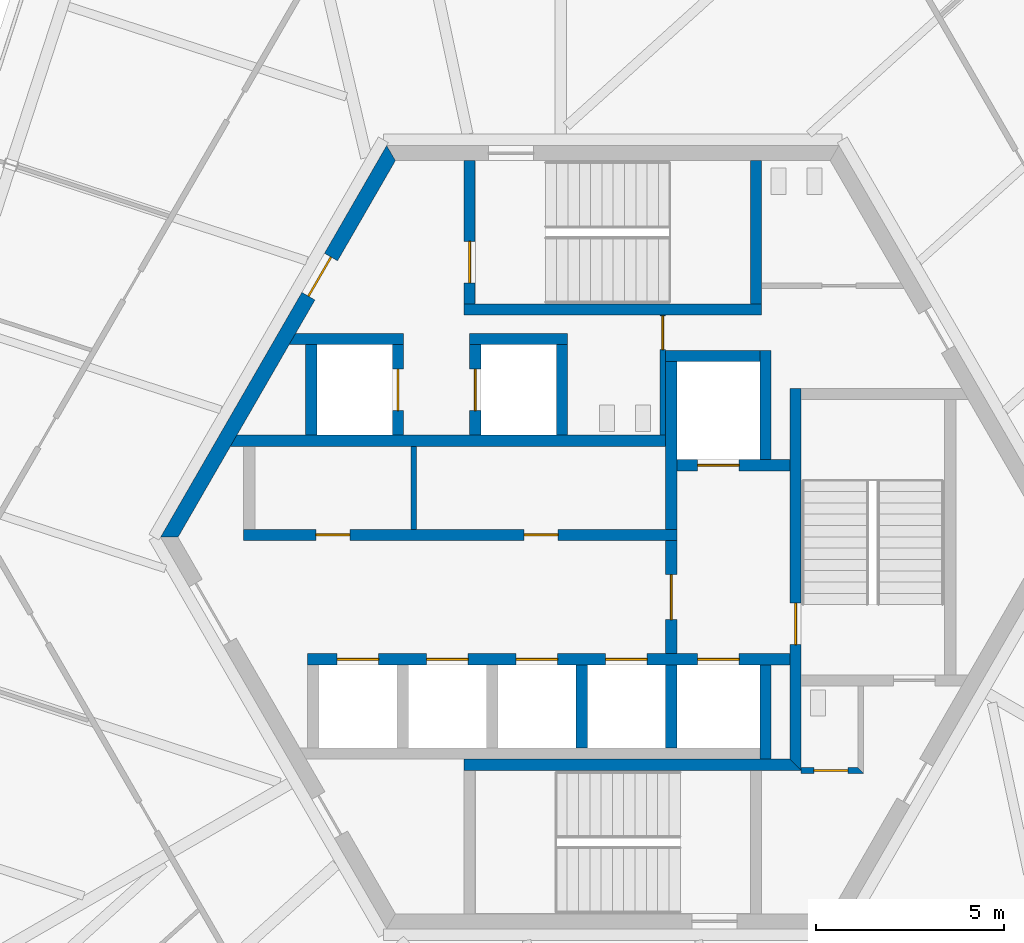
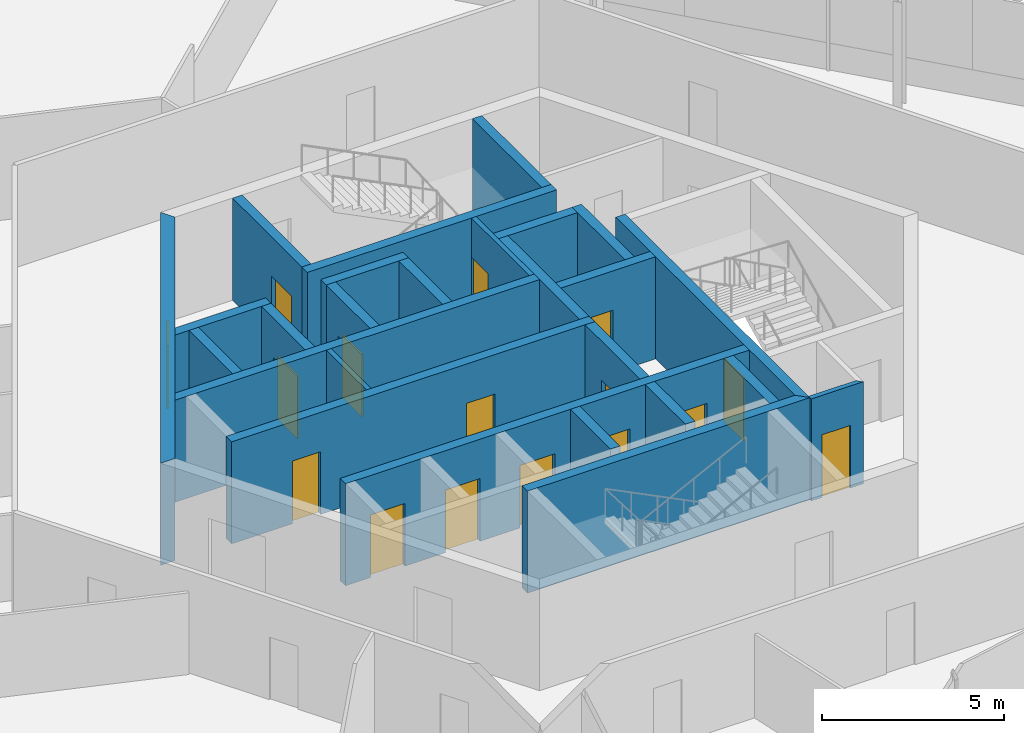
# One storey, part 11 of 17: 26 walls, 16 doors, 16 openings.
"""IFC4 building model written with IfcOpenShell, lengths in metres."""

from ifc_helpers import new_model, si_unit, direction, frame, frame_2d, origin, place, context, subcontext, project, spatial, polyline, rectangle, outline, extrude, source, transform, mapped, material, layer, layer_set, type_object, element, fill, save


model = new_model("IFC4")

# Units and contexts
model_context = context("Model", 3, precision=1e-05, world=origin(), true_north=direction((0.0, 1.0)))
body_context = subcontext(model_context, "Body", "Model", "MODEL_VIEW")
ifc_project = project(units=[si_unit("LENGTHUNIT", "METRE"), si_unit("AREAUNIT", "SQUARE_METRE"), si_unit("VOLUMEUNIT", "CUBIC_METRE"), si_unit("PLANEANGLEUNIT", "RADIAN"), si_unit("MASSUNIT", "GRAM", prefix="KILO")], contexts=[model_context])

# Site, building, storey
site_placement = place(None, origin())
site = spatial("IfcSite", under=ifc_project, at=site_placement, CompositionType="ELEMENT")
building_placement = place(site_placement, origin())
building = spatial("IfcBuilding", under=site, at=building_placement, Name="Triune Harvest Tower", CompositionType="ELEMENT")
storey_placement = place(building_placement, frame((0.0, 0.0, 281.10009765625)))
storey = spatial("IfcBuildingStorey", under=building, at=storey_placement, Name="L74", CompositionType="ELEMENT", Elevation=281.10009765625)

# Wall
ifc_material_1 = material(Name="Concrete masonry unit", Category="masonry")
ifc_layer_1 = layer(ifc_material_1, 0.14990234375)
ifc_layer_set_1 = layer_set([ifc_layer_1], Name="Concrete masonry unit")
wall_type_1 = type_object("IfcWallType", Name="Block partition 150", PredefinedType="PARTITIONING", material=ifc_layer_set_1)
wall_1_placement = place(storey_placement, frame((-5.280029296875, 0.2099609375, 0.0), z_axis=(0.0, 0.0, 1.0), x_axis=(0.0, 1.0, 0.0)))
element("IfcWall", 1, at=wall_1_placement, inside=storey, type_object=wall_type_1, Name="Row n part 1 wall", PredefinedType="PARTITIONING", context=body_context, shape_type="SweptSolid", body=[
    extrude(rectangle(XDim=2.199951171875, YDim=0.14990234375, at=frame_2d((1.10009765625, 0.0))), origin(), (0.0, 0.0, 1.0), 3.419921875),
])

# Wall, opening, door
ifc_material_2 = material(Name="Concrete masonry unit", Category="masonry")
ifc_layer_2 = layer(ifc_material_2, 0.14990234375)
ifc_layer_set_2 = layer_set([ifc_layer_2], Name="Concrete masonry unit")
wall_type_2 = type_object("IfcWallType", Name="Block partition 150 unrated", PredefinedType="PARTITIONING", material=ifc_layer_set_2)
wall_2_placement = place(storey_placement, frame((1.324951171875, 2.7099609375, 0.0), z_axis=(0.0, 0.0, 1.0), x_axis=(0.0, 1.0, 0.0)))
wall_2 = element("IfcWall", 2, at=wall_2_placement, inside=storey, type_object=wall_type_2, Name="Wc men east wall", PredefinedType="PARTITIONING", context=body_context, shape_type="SweptSolid", body=[
    extrude(rectangle(XDim=3.179931640625, YDim=0.14990234375, at=frame_2d((1.58984375, 0.0))), origin(), (0.0, 0.0, 1.0), 3.419921875),
])
opening_1_placement = place(wall_2_placement, frame((2.264892578125, 0.0, 0.0)))
opening_1 = element("IfcOpeningElement", 3, at=opening_1_placement, cuts=wall_2, Name="Opening CD-WM", PredefinedType="OPENING", context=body_context, shape_type="SweptSolid", body=[
    extrude(rectangle(XDim=0.89990234375, YDim=2.10009765625, at=frame_2d((0.449951171875, 1.050048828125))), frame((0.0, 0.0849609375, 0.0), z_axis=(0.0, -1.0, 0.0), x_axis=(1.0, 0.0, 0.0)), (0.0, 0.0, 1.0), 0.169921875),
])
ifc_material_3 = material(Name="Timber C24", Category="wood")
door_type_1 = type_object("IfcDoorType", Name="WC door 900", OperationType="SINGLE_SWING_LEFT", PredefinedType="DOOR", material=ifc_material_3)
door_1_placement = place(opening_1_placement, origin())
door_1 = element("IfcDoor", 4, at=door_1_placement, inside=storey, type_object=door_type_1, Name="Door CD-WM", OperationType="SINGLE_SWING_LEFT", OverallHeight=2.10009765625, OverallWidth=0.89990234375, PredefinedType="DOOR", context=body_context, shape_type="SweptSolid", body=[
    extrude(rectangle(XDim=0.89990234375, YDim=2.10009765625, at=frame_2d((0.449951171875, 1.050048828125))), frame((0.0, 0.02490234375, 0.0), z_axis=(0.0, -1.0, 0.0), x_axis=(1.0, 0.0, 0.0)), (0.0, 0.0, 1.0), 0.050048828125),
])
fill(opening_1, door_1)

wall_3_placement = place(storey_placement, frame((5.0, -6.18994140625, 0.0), z_axis=(0.0, 0.0, 1.0), x_axis=(1.0, 0.0, 0.0)))
wall_3 = element("IfcWall", 5, at=wall_3_placement, inside=storey, type_object=wall_type_2, Name="Wc acc south wall", PredefinedType="PARTITIONING", context=body_context, shape_type="SweptSolid", body=[
    extrude(outline(polyline([(0.0, -0.074951171875), (1.64990234375, -0.074951171875), (1.5, 0.074951171875), (0.0, 0.074951171875), (0.0, -0.074951171875)])), origin(), (0.0, 0.0, 1.0), 3.419921875),
])
opening_2_placement = place(wall_3_placement, frame((0.33740234375, 0.0, 0.0)))
opening_2 = element("IfcOpeningElement", 6, at=opening_2_placement, cuts=wall_3, Name="Opening CD-WA", PredefinedType="OPENING", context=body_context, shape_type="SweptSolid", body=[
    extrude(rectangle(XDim=0.89990234375, YDim=2.10009765625, at=frame_2d((0.449951171875, 1.050048828125))), frame((0.0, 0.0849609375, 0.0), z_axis=(0.0, -1.0, 0.0), x_axis=(1.0, 0.0, 0.0)), (0.0, 0.0, 1.0), 0.169921875),
])
door_2_placement = place(opening_2_placement, origin())
door_2 = element("IfcDoor", 7, at=door_2_placement, inside=storey, type_object=door_type_1, Name="Door CD-WA", OperationType="SINGLE_SWING_LEFT", OverallHeight=2.10009765625, OverallWidth=0.89990234375, PredefinedType="DOOR", context=body_context, shape_type="SweptSolid", body=[
    extrude(rectangle(XDim=0.89990234375, YDim=2.10009765625, at=frame_2d((0.449951171875, 1.050048828125))), frame((0.0, 0.02490234375, 0.0), z_axis=(0.0, -1.0, 0.0), x_axis=(1.0, 0.0, 0.0)), (0.0, 0.0, 1.0), 0.050048828125),
])
fill(opening_2, door_2)

# Wall, openings, doors
ifc_material_4 = material(Name="Concrete 70 MPa", Category="concrete")
ifc_layer_3 = layer(ifc_material_4, 0.300048828125)
ifc_layer_set_3 = layer_set([ifc_layer_3], Name="Concrete 70 MPa")
wall_type_3 = type_object("IfcWallType", Name="Core wall 300", PredefinedType="SHEAR", material=ifc_layer_set_3)
wall_4_placement = place(storey_placement, frame((-9.800048828125, 0.06005859375, 0.0), z_axis=(0.0, 0.0, 1.0), x_axis=(1.0, 0.0, 0.0)))
wall_4 = element("IfcWall", 8, at=wall_4_placement, inside=storey, type_object=wall_type_3, Name="North front wall", PredefinedType="SHEAR", context=body_context, shape_type="SweptSolid", body=[
    extrude(rectangle(XDim=11.5, YDim=0.300048828125, at=frame_2d((5.75, 0.0))), origin(), (0.0, 0.0, 1.0), 3.419921875),
])
opening_3_placement = place(wall_4_placement, frame((1.922607421875, 0.0, 0.0)))
opening_3 = element("IfcOpeningElement", 9, at=opening_3_placement, cuts=wall_4, Name="Opening CD-RN1", PredefinedType="OPENING", context=body_context, shape_type="SweptSolid", body=[
    extrude(rectangle(XDim=0.89990234375, YDim=2.10009765625, at=frame_2d((0.449951171875, 1.050048828125))), frame((0.0, 0.16015625, 0.0), z_axis=(0.0, -1.0, 0.0), x_axis=(1.0, 0.0, 0.0)), (0.0, 0.0, 1.0), 0.320068359375),
])
opening_4_placement = place(wall_4_placement, frame((7.447509765625, 0.0, 0.0)))
opening_4 = element("IfcOpeningElement", 10, at=opening_4_placement, cuts=wall_4, Name="Opening CD-RN2", PredefinedType="OPENING", context=body_context, shape_type="SweptSolid", body=[
    extrude(rectangle(XDim=0.89990234375, YDim=2.10009765625, at=frame_2d((0.449951171875, 1.050048828125))), frame((0.0, 0.16015625, 0.0), z_axis=(0.0, -1.0, 0.0), x_axis=(1.0, 0.0, 0.0)), (0.0, 0.0, 1.0), 0.320068359375),
])
ifc_material_5 = material(Name="Steel S235", Category="steel")
door_type_2 = type_object("IfcDoorType", Name="Riser door 900 FD120", OperationType="SINGLE_SWING_LEFT", PredefinedType="DOOR", material=ifc_material_5)
door_3_placement = place(opening_3_placement, frame((0.89990234375, 0.0, 0.0), z_axis=(0.0, 0.0, 1.0), x_axis=(-1.0, 0.0, 0.0)))
door_3 = element("IfcDoor", 11, at=door_3_placement, inside=storey, type_object=door_type_2, Name="Door CD-RN1", OperationType="SINGLE_SWING_RIGHT", OverallHeight=2.10009765625, OverallWidth=0.89990234375, PredefinedType="DOOR", context=body_context, shape_type="SweptSolid", body=[
    extrude(rectangle(XDim=0.89990234375, YDim=2.10009765625, at=frame_2d((0.449951171875, 1.050048828125))), frame((0.0, 0.02490234375, 0.0), z_axis=(0.0, -1.0, 0.0), x_axis=(1.0, 0.0, 0.0)), (0.0, 0.0, 1.0), 0.050048828125),
])
fill(opening_3, door_3)
door_4_placement = place(opening_4_placement, frame((0.89990234375, 0.0, 0.0), z_axis=(0.0, 0.0, 1.0), x_axis=(-1.0, 0.0, 0.0)))
door_4 = element("IfcDoor", 12, at=door_4_placement, inside=storey, type_object=door_type_2, Name="Door CD-RN2", OperationType="SINGLE_SWING_RIGHT", OverallHeight=2.10009765625, OverallWidth=0.89990234375, PredefinedType="DOOR", context=body_context, shape_type="SweptSolid", body=[
    extrude(rectangle(XDim=0.89990234375, YDim=2.10009765625, at=frame_2d((0.449951171875, 1.050048828125))), frame((0.0, 0.02490234375, 0.0), z_axis=(0.0, -1.0, 0.0), x_axis=(1.0, 0.0, 0.0)), (0.0, 0.0, 1.0), 0.050048828125),
])
fill(opening_4, door_4)

# Walls
wall_5_placement = place(storey_placement, frame((-9.800048828125, 2.56005859375, 0.0), z_axis=(0.0, 0.0, 1.0), x_axis=(1.0, 0.0, 0.0)))
element("IfcWall", 13, at=wall_5_placement, inside=storey, type_object=wall_type_3, Name="North back wall", PredefinedType="SHEAR", context=body_context, shape_type="SweptSolid", body=[
    extrude(outline(polyline([(11.199951171875, -0.14990234375), (-0.34912109375, -0.14990234375), (-0.17578125, 0.14990234375), (11.199951171875, 0.14990234375), (11.199951171875, -0.14990234375)])), origin(), (0.0, 0.0, 1.0), 3.419921875),
])
wall_6_placement = place(storey_placement, frame((1.550048828125, 0.2099609375, 0.0), z_axis=(0.0, 0.0, 1.0), x_axis=(0.0, 1.0, 0.0)))
element("IfcWall", 14, at=wall_6_placement, inside=storey, type_object=wall_type_3, Name="Ff1 west wall", PredefinedType="SHEAR", context=body_context, shape_type="SweptSolid", body=[
    extrude(rectangle(XDim=4.449951171875, YDim=0.300048828125, at=frame_2d((2.22509765625, 0.0))), origin(), (0.0, 0.0, 1.0), 3.419921875),
])
wall_7_placement = place(storey_placement, frame((4.050048828125, 2.06005859375, 0.0), z_axis=(0.0, 0.0, 1.0), x_axis=(0.0, 1.0, 0.0)))
element("IfcWall", 15, at=wall_7_placement, inside=storey, type_object=wall_type_3, Name="Ff1 east wall", PredefinedType="SHEAR", context=body_context, shape_type="SweptSolid", body=[
    extrude(rectangle(XDim=2.89990234375, YDim=0.300048828125, at=frame_2d((1.449951171875, 0.0))), origin(), (0.0, 0.0, 1.0), 3.419921875),
])

# Wall, openings, doors
wall_8_placement = place(storey_placement, frame((-8.10009765625, -3.239990234375, 0.0), z_axis=(0.0, 0.0, 1.0), x_axis=(1.0, 0.0, 0.0)))
wall_8 = element("IfcWall", 16, at=wall_8_placement, inside=storey, type_object=wall_type_3, Name="South front wall", PredefinedType="SHEAR", context=body_context, shape_type="SweptSolid", body=[
    extrude(rectangle(XDim=12.800048828125, YDim=0.300048828125, at=frame_2d((6.39990234375, 0.0))), origin(), (0.0, 0.0, 1.0), 3.419921875),
])
opening_5_placement = place(wall_8_placement, frame((0.78759765625, 0.0, 0.0)))
opening_5 = element("IfcOpeningElement", 17, at=opening_5_placement, cuts=wall_8, Name="Opening LD-HR1-74", PredefinedType="OPENING", context=body_context, shape_type="SweptSolid", body=[
    extrude(rectangle(XDim=1.10009765625, YDim=2.10009765625, at=frame_2d((0.550048828125, 1.050048828125))), frame((0.0, 0.16015625, 0.0), z_axis=(0.0, -1.0, 0.0), x_axis=(1.0, 0.0, 0.0)), (0.0, 0.0, 1.0), 0.320068359375),
])
opening_6_placement = place(wall_8_placement, frame((3.16259765625, 0.0, 0.0)))
opening_6 = element("IfcOpeningElement", 18, at=opening_6_placement, cuts=wall_8, Name="Opening LD-HR2-74", PredefinedType="OPENING", context=body_context, shape_type="SweptSolid", body=[
    extrude(rectangle(XDim=1.10009765625, YDim=2.10009765625, at=frame_2d((0.550048828125, 1.050048828125))), frame((0.0, 0.16015625, 0.0), z_axis=(0.0, -1.0, 0.0), x_axis=(1.0, 0.0, 0.0)), (0.0, 0.0, 1.0), 0.320068359375),
])
opening_7_placement = place(wall_8_placement, frame((5.53759765625, 0.0, 0.0)))
opening_7 = element("IfcOpeningElement", 19, at=opening_7_placement, cuts=wall_8, Name="Opening LD-HR3-74", PredefinedType="OPENING", context=body_context, shape_type="SweptSolid", body=[
    extrude(rectangle(XDim=1.10009765625, YDim=2.10009765625, at=frame_2d((0.550048828125, 1.050048828125))), frame((0.0, 0.16015625, 0.0), z_axis=(0.0, -1.0, 0.0), x_axis=(1.0, 0.0, 0.0)), (0.0, 0.0, 1.0), 0.320068359375),
])
opening_8_placement = place(wall_8_placement, frame((7.91259765625, 0.0, 0.0)))
opening_8 = element("IfcOpeningElement", 20, at=opening_8_placement, cuts=wall_8, Name="Opening LD-HR4-74", PredefinedType="OPENING", context=body_context, shape_type="SweptSolid", body=[
    extrude(rectangle(XDim=1.10009765625, YDim=2.10009765625, at=frame_2d((0.550048828125, 1.050048828125))), frame((0.0, 0.16015625, 0.0), z_axis=(0.0, -1.0, 0.0), x_axis=(1.0, 0.0, 0.0)), (0.0, 0.0, 1.0), 0.320068359375),
])
opening_9_placement = place(wall_8_placement, frame((10.35009765625, 0.0, 0.0)))
opening_9 = element("IfcOpeningElement", 21, at=opening_9_placement, cuts=wall_8, Name="Opening LD-FF2-74", PredefinedType="OPENING", context=body_context, shape_type="SweptSolid", body=[
    extrude(rectangle(XDim=1.10009765625, YDim=2.10009765625, at=frame_2d((0.550048828125, 1.050048828125))), frame((0.0, 0.16015625, 0.0), z_axis=(0.0, -1.0, 0.0), x_axis=(1.0, 0.0, 0.0)), (0.0, 0.0, 1.0), 0.320068359375),
])
ifc_material_6 = material(Name="Stainless steel AISI 304", Category="steel")
door_type_3 = type_object("IfcDoorType", Name="Landing door 1100 x 2100", OperationType="DOUBLE_DOOR_SLIDING", PredefinedType="DOOR", material=ifc_material_6)
door_5_placement = place(opening_5_placement, origin())
door_5 = element("IfcDoor", 22, at=door_5_placement, inside=storey, type_object=door_type_3, Name="Door LD-HR1-74", OperationType="DOUBLE_DOOR_SLIDING", OverallHeight=2.10009765625, OverallWidth=1.10009765625, PredefinedType="DOOR", context=body_context, shape_type="SweptSolid", body=[
    extrude(rectangle(XDim=1.10009765625, YDim=2.10009765625, at=frame_2d((0.550048828125, 1.050048828125))), frame((0.0, 0.02490234375, 0.0), z_axis=(0.0, -1.0, 0.0), x_axis=(1.0, 0.0, 0.0)), (0.0, 0.0, 1.0), 0.050048828125),
])
fill(opening_5, door_5)
door_6_placement = place(opening_6_placement, origin())
door_6 = element("IfcDoor", 23, at=door_6_placement, inside=storey, type_object=door_type_3, Name="Door LD-HR2-74", OperationType="DOUBLE_DOOR_SLIDING", OverallHeight=2.10009765625, OverallWidth=1.10009765625, PredefinedType="DOOR", context=body_context, shape_type="SweptSolid", body=[
    extrude(rectangle(XDim=1.10009765625, YDim=2.10009765625, at=frame_2d((0.550048828125, 1.050048828125))), frame((0.0, 0.02490234375, 0.0), z_axis=(0.0, -1.0, 0.0), x_axis=(1.0, 0.0, 0.0)), (0.0, 0.0, 1.0), 0.050048828125),
])
fill(opening_6, door_6)
door_7_placement = place(opening_7_placement, origin())
door_7 = element("IfcDoor", 24, at=door_7_placement, inside=storey, type_object=door_type_3, Name="Door LD-HR3-74", OperationType="DOUBLE_DOOR_SLIDING", OverallHeight=2.10009765625, OverallWidth=1.10009765625, PredefinedType="DOOR", context=body_context, shape_type="SweptSolid", body=[
    extrude(rectangle(XDim=1.10009765625, YDim=2.10009765625, at=frame_2d((0.550048828125, 1.050048828125))), frame((0.0, 0.02490234375, 0.0), z_axis=(0.0, -1.0, 0.0), x_axis=(1.0, 0.0, 0.0)), (0.0, 0.0, 1.0), 0.050048828125),
])
fill(opening_7, door_7)
door_8_placement = place(opening_8_placement, origin())
door_8 = element("IfcDoor", 25, at=door_8_placement, inside=storey, type_object=door_type_3, Name="Door LD-HR4-74", OperationType="DOUBLE_DOOR_SLIDING", OverallHeight=2.10009765625, OverallWidth=1.10009765625, PredefinedType="DOOR", context=body_context, shape_type="SweptSolid", body=[
    extrude(rectangle(XDim=1.10009765625, YDim=2.10009765625, at=frame_2d((0.550048828125, 1.050048828125))), frame((0.0, 0.02490234375, 0.0), z_axis=(0.0, -1.0, 0.0), x_axis=(1.0, 0.0, 0.0)), (0.0, 0.0, 1.0), 0.050048828125),
])
fill(opening_8, door_8)
door_9_placement = place(opening_9_placement, origin())
door_9 = element("IfcDoor", 26, at=door_9_placement, inside=storey, type_object=door_type_3, Name="Door LD-FF2-74", OperationType="DOUBLE_DOOR_SLIDING", OverallHeight=2.10009765625, OverallWidth=1.10009765625, PredefinedType="DOOR", context=body_context, shape_type="SweptSolid", body=[
    extrude(rectangle(XDim=1.10009765625, YDim=2.10009765625, at=frame_2d((0.550048828125, 1.050048828125))), frame((0.0, 0.02490234375, 0.0), z_axis=(0.0, -1.0, 0.0), x_axis=(1.0, 0.0, 0.0)), (0.0, 0.0, 1.0), 0.050048828125),
])
fill(opening_9, door_9)

# Wall, opening, door
wall_9_placement = place(storey_placement, frame((4.85009765625, -6.0400390625, 0.0), z_axis=(0.0, 0.0, 1.0), x_axis=(0.0, 1.0, 0.0)))
wall_9 = element("IfcWall", 27, at=wall_9_placement, inside=storey, type_object=wall_type_3, Name="Stair e west wall", PredefinedType="SHEAR", context=body_context, shape_type="SweptSolid", body=[
    extrude(outline(polyline([(-0.14990234375, -0.14990234375), (9.989990234375, -0.14990234375), (9.989990234375, 0.14990234375), (0.14990234375, 0.14990234375), (-0.14990234375, -0.14990234375)])), origin(), (0.0, 0.0, 1.0), 3.419921875),
])
opening_10_placement = place(wall_9_placement, frame((3.18994140625, 0.0, 0.0)))
opening_10 = element("IfcOpeningElement", 28, at=opening_10_placement, cuts=wall_9, Name="Opening CD-S3L", PredefinedType="OPENING", context=body_context, shape_type="SweptSolid", body=[
    extrude(rectangle(XDim=1.10009765625, YDim=2.10009765625, at=frame_2d((0.550048828125, 1.050048828125))), frame((0.0, 0.16015625, 0.0), z_axis=(0.0, -1.0, 0.0), x_axis=(1.0, 0.0, 0.0)), (0.0, 0.0, 1.0), 0.320068359375),
])
ifc_material_7 = material(Name="Steel S235", Category="steel")
door_type_4 = type_object("IfcDoorType", Name="Stair door 1100 FD120", OperationType="SINGLE_SWING_LEFT", PredefinedType="DOOR", material=ifc_material_7)
door_10_placement = place(opening_10_placement, frame((1.10009765625, 0.0, 0.0), z_axis=(0.0, 0.0, 1.0), x_axis=(-1.0, 0.0, 0.0)))
door_10 = element("IfcDoor", 29, at=door_10_placement, inside=storey, type_object=door_type_4, Name="Door CD-S3L", OperationType="SINGLE_SWING_RIGHT", OverallHeight=2.10009765625, OverallWidth=1.10009765625, PredefinedType="DOOR", context=body_context, shape_type="SweptSolid", body=[
    extrude(rectangle(XDim=1.10009765625, YDim=2.10009765625, at=frame_2d((0.550048828125, 1.050048828125))), frame((0.0, 0.02490234375, 0.0), z_axis=(0.0, -1.0, 0.0), x_axis=(1.0, 0.0, 0.0)), (0.0, 0.0, 1.0), 0.050048828125),
])
fill(opening_10, door_10)

# Walls
wall_10_placement = place(storey_placement, frame((-3.949951171875, 6.0400390625, 0.0), z_axis=(0.0, 0.0, 1.0), x_axis=(1.0, 0.0, 0.0)))
element("IfcWall", 30, at=wall_10_placement, inside=storey, type_object=wall_type_3, Name="Stair n south wall", PredefinedType="SHEAR", context=body_context, shape_type="SweptSolid", body=[
    extrude(rectangle(XDim=7.89990234375, YDim=0.300048828125, at=frame_2d((3.949951171875, 0.0))), origin(), (0.0, 0.0, 1.0), 3.419921875),
])
wall_11_placement = place(storey_placement, frame((-3.949951171875, -6.0400390625, 0.0), z_axis=(0.0, 0.0, 1.0), x_axis=(1.0, 0.0, 0.0)))
element("IfcWall", 31, at=wall_11_placement, inside=storey, type_object=wall_type_3, Name="Stair s north wall", PredefinedType="SHEAR", context=body_context, shape_type="SweptSolid", body=[
    extrude(outline(polyline([(0.0, -0.14990234375), (8.949951171875, -0.14990234375), (8.64990234375, 0.14990234375), (0.0, 0.14990234375), (0.0, -0.14990234375)])), origin(), (0.0, 0.0, 1.0), 3.419921875),
])
wall_12_placement = place(storey_placement, frame((-8.14990234375, 5.260009765625, 0.0), z_axis=(0.0, 0.0, 1.0), x_axis=(1.0, 0.0, 0.0)))
element("IfcWall", 32, at=wall_12_placement, inside=storey, type_object=wall_type_3, Name="Sv1 north wall", PredefinedType="SHEAR", context=body_context, shape_type="SweptSolid", body=[
    extrude(outline(polyline([(2.60009765625, -0.14990234375), (-0.440185546875, -0.14990234375), (-0.26708984375, 0.14990234375), (2.60009765625, 0.14990234375), (2.60009765625, -0.14990234375)])), origin(), (0.0, 0.0, 1.0), 3.419921875),
])
wall_13_placement = place(storey_placement, frame((-3.800048828125, 5.260009765625, 0.0), z_axis=(0.0, 0.0, 1.0), x_axis=(1.0, 0.0, 0.0)))
element("IfcWall", 33, at=wall_13_placement, inside=storey, type_object=wall_type_3, Name="Sv2 north wall", PredefinedType="SHEAR", context=body_context, shape_type="SweptSolid", body=[
    extrude(rectangle(XDim=2.60009765625, YDim=0.300048828125, at=frame_2d((1.300048828125, 0.0))), origin(), (0.0, 0.0, 1.0), 3.419921875),
])

# Wall, opening, door
ifc_material_8 = material(Name="Concrete 70 MPa", Category="concrete")
ifc_layer_4 = layer(ifc_material_8, 0.39990234375)
ifc_layer_set_4 = layer_set([ifc_layer_4], Name="Concrete 70 MPa")
wall_type_4 = type_object("IfcWallType", Name="Core wall 400", PredefinedType="SHEAR", material=ifc_layer_set_4)
shared_shape_1 = source(origin(), body_context, "Body", "SweptSolid", [
    extrude(outline(polyline([(-0.115478515625, -0.199951171875), (11.884521484375, -0.199951171875), (11.653564453125, 0.199951171875), (0.115478515625, 0.199951171875), (-0.115478515625, -0.199951171875)])), origin(), (0.0, 0.0, 1.0), 3.419921875),
])
wall_14_placement = place(storey_placement, frame((-5.884521484375, 10.1923828125, 0.0), z_axis=(0.0, 0.0, 1.0), x_axis=(-0.499996592174, -0.866027371285, 0.0)))
wall_14 = element("IfcWall", 34, at=wall_14_placement, inside=storey, type_object=wall_type_4, Name="Hexagon 2 wall", PredefinedType="SHEAR", context=body_context, shape_type="MappedRepresentation", body=[
    mapped(shared_shape_1, transform((0.0, 0.0, 0.0), scale=1.0)),
])
opening_11_placement = place(wall_14_placement, frame((3.1845703125, 0.0, 0.0)))
opening_11 = element("IfcOpeningElement", 35, at=opening_11_placement, cuts=wall_14, Name="Opening CD-SVP", PredefinedType="OPENING", context=body_context, shape_type="SweptSolid", body=[
    extrude(rectangle(XDim=1.199951171875, YDim=2.10009765625, at=frame_2d((0.60009765625, 1.050048828125))), frame((0.0, 0.2099609375, 0.0), z_axis=(0.0, -1.0, 0.0), x_axis=(1.0, 0.0, 0.0)), (0.0, 0.0, 1.0), 0.419921875),
])
ifc_material_9 = material(Name="Steel S235", Category="steel")
door_type_5 = type_object("IfcDoorType", Name="Service door 1200 FD120", OperationType="SINGLE_SWING_LEFT", PredefinedType="DOOR", material=ifc_material_9)
door_11_placement = place(opening_11_placement, frame((1.199951171875, 0.0, 0.0), z_axis=(0.0, 0.0, 1.0), x_axis=(-1.0, 0.0, 0.0)))
door_11 = element("IfcDoor", 36, at=door_11_placement, inside=storey, type_object=door_type_5, Name="Door CD-SVP", OperationType="SINGLE_SWING_RIGHT", OverallHeight=2.10009765625, OverallWidth=1.199951171875, PredefinedType="DOOR", context=body_context, shape_type="SweptSolid", body=[
    extrude(rectangle(XDim=1.199951171875, YDim=2.10009765625, at=frame_2d((0.60009765625, 1.050048828125))), frame((0.0, 0.02490234375, 0.0), z_axis=(0.0, -1.0, 0.0), x_axis=(1.0, 0.0, 0.0)), (0.0, 0.0, 1.0), 0.050048828125),
])
fill(opening_11, door_11)

# Walls
shared_shape_2 = source(origin(), body_context, "Body", "SweptSolid", [
    extrude(rectangle(XDim=2.5, YDim=0.300048828125, at=frame_2d((1.25, 0.0))), origin(), (0.0, 0.0, 1.0), 3.419921875),
])
for number, where, z_axis, x_axis, name in (
    (37, (1.39990234375, 4.81005859375, 0.0), (0.0, 0.0, 1.0), (1.0, 0.0, 0.0), "Ff1 back wall"),
    (38, (4.050048828125, -5.889892578125, 0.0), (0.0, 0.0, 1.0), (0.0, 1.0, 0.0), "Ff2 east wall"),
):
    element("IfcWall", number, at=place(storey_placement, frame(where, z_axis=z_axis, x_axis=x_axis)), inside=storey, type_object=wall_type_3, Name=name, PredefinedType="SHEAR", context=body_context, shape_type="MappedRepresentation", body=[
        mapped(shared_shape_2, transform((0.0, 0.0, 0.0), scale=1.0)),
    ])

# Wall, opening, door
shared_shape_3 = source(origin(), body_context, "Body", "SweptSolid", [
    extrude(rectangle(XDim=3.0, YDim=0.300048828125, at=frame_2d((1.5, 0.0))), origin(), (0.0, 0.0, 1.0), 3.419921875),
])
wall_15_placement = place(storey_placement, frame((1.699951171875, 1.909912109375, 0.0), z_axis=(0.0, 0.0, 1.0), x_axis=(1.0, 0.0, 0.0)))
wall_15 = element("IfcWall", 39, at=wall_15_placement, inside=storey, type_object=wall_type_3, Name="Ff1 front wall", PredefinedType="SHEAR", context=body_context, shape_type="MappedRepresentation", body=[
    mapped(shared_shape_3, transform((0.0, 0.0, 0.0), scale=1.0)),
])
opening_12_placement = place(wall_15_placement, frame((0.550048828125, 0.0, 0.0)))
opening_12 = element("IfcOpeningElement", 40, at=opening_12_placement, cuts=wall_15, Name="Opening LD-FF1-74", PredefinedType="OPENING", context=body_context, shape_type="SweptSolid", body=[
    extrude(rectangle(XDim=1.10009765625, YDim=2.10009765625, at=frame_2d((0.550048828125, 1.050048828125))), frame((0.0, 0.16015625, 0.0), z_axis=(0.0, -1.0, 0.0), x_axis=(1.0, 0.0, 0.0)), (0.0, 0.0, 1.0), 0.320068359375),
])
door_12_placement = place(opening_12_placement, origin())
door_12 = element("IfcDoor", 41, at=door_12_placement, inside=storey, type_object=door_type_3, Name="Door LD-FF1-74", OperationType="DOUBLE_DOOR_SLIDING", OverallHeight=2.10009765625, OverallWidth=1.10009765625, PredefinedType="DOOR", context=body_context, shape_type="SweptSolid", body=[
    extrude(rectangle(XDim=1.10009765625, YDim=2.10009765625, at=frame_2d((0.550048828125, 1.050048828125))), frame((0.0, 0.02490234375, 0.0), z_axis=(0.0, -1.0, 0.0), x_axis=(1.0, 0.0, 0.0)), (0.0, 0.0, 1.0), 0.050048828125),
])
fill(opening_12, door_12)

wall_16_placement = place(storey_placement, frame((1.550048828125, -3.090087890625, 0.0), z_axis=(0.0, 0.0, 1.0), x_axis=(0.0, 1.0, 0.0)))
wall_16 = element("IfcWall", 42, at=wall_16_placement, inside=storey, type_object=wall_type_3, Name="Ff lobby west wall", PredefinedType="SHEAR", context=body_context, shape_type="MappedRepresentation", body=[
    mapped(shared_shape_3, transform((0.0, 0.0, 0.0), scale=1.0)),
])
opening_13_placement = place(wall_16_placement, frame((0.89990234375, 0.0, 0.0)))
opening_13 = element("IfcOpeningElement", 43, at=opening_13_placement, cuts=wall_16, Name="Opening CD-FL", PredefinedType="OPENING", context=body_context, shape_type="SweptSolid", body=[
    extrude(rectangle(XDim=1.199951171875, YDim=2.10009765625, at=frame_2d((0.60009765625, 1.050048828125))), frame((0.0, 0.16015625, 0.0), z_axis=(0.0, -1.0, 0.0), x_axis=(1.0, 0.0, 0.0)), (0.0, 0.0, 1.0), 0.320068359375),
])
ifc_material_10 = material(Name="Steel S235", Category="steel")
door_type_6 = type_object("IfcDoorType", Name="Firefighters' lobby door 1200 FD120", OperationType="SINGLE_SWING_LEFT", PredefinedType="DOOR", material=ifc_material_10)
door_13_placement = place(opening_13_placement, frame((1.199951171875, 0.0, 0.0), z_axis=(0.0, 0.0, 1.0), x_axis=(-1.0, 0.0, 0.0)))
door_13 = element("IfcDoor", 44, at=door_13_placement, inside=storey, type_object=door_type_6, Name="Door CD-FL", OperationType="SINGLE_SWING_RIGHT", OverallHeight=2.10009765625, OverallWidth=1.199951171875, PredefinedType="DOOR", context=body_context, shape_type="SweptSolid", body=[
    extrude(rectangle(XDim=1.199951171875, YDim=2.10009765625, at=frame_2d((0.60009765625, 1.050048828125))), frame((0.0, 0.02490234375, 0.0), z_axis=(0.0, -1.0, 0.0), x_axis=(1.0, 0.0, 0.0)), (0.0, 0.0, 1.0), 0.050048828125),
])
fill(opening_13, door_13)

# Walls
shared_shape_4 = source(origin(), body_context, "Body", "SweptSolid", [
    extrude(rectangle(XDim=2.2001953125, YDim=0.300048828125, at=frame_2d((1.10009765625, 0.0))), origin(), (0.0, 0.0, 1.0), 3.419921875),
])
for number, where, z_axis, x_axis, name in (
    (45, (1.550048828125, -5.590087890625, 0.0), (0.0, 0.0, 1.0), (0.0, 1.0, 0.0), "Ff2 west wall"),
    (46, (-0.824951171875, -5.590087890625, 0.0), (0.0, 0.0, 1.0), (0.0, 1.0, 0.0), "South cross 3 wall"),
):
    element("IfcWall", number, at=place(storey_placement, frame(where, z_axis=z_axis, x_axis=x_axis)), inside=storey, type_object=wall_type_3, Name=name, PredefinedType="SHEAR", context=body_context, shape_type="MappedRepresentation", body=[
        mapped(shared_shape_4, transform((0.0, 0.0, 0.0), scale=1.0)),
    ])

# Wall, opening, door
shared_shape_5 = source(origin(), body_context, "Body", "SweptSolid", [
    extrude(outline(polyline([(0.0, -0.14990234375), (0.0, 0.14990234375), (3.80419921875, 0.14990234375), (3.80419921875, -0.14990234375), (0.0, -0.14990234375)])), origin(), (0.0, 0.0, 1.0), 3.419921875),
])
wall_17_placement = place(storey_placement, frame((-3.800048828125, 6.18994140625, 0.0), z_axis=(0.0, 0.0, 1.0), x_axis=(0.0, 1.0, 0.0)))
wall_17 = element("IfcWall", 47, at=wall_17_placement, inside=storey, type_object=wall_type_3, Name="Stair n west wall", PredefinedType="SHEAR", context=body_context, shape_type="MappedRepresentation", body=[
    mapped(shared_shape_5, transform((0.0, 0.0, 0.0), scale=1.0)),
])
opening_14_placement = place(wall_17_placement, frame((0.56005859375, 0.0, 0.0)))
opening_14 = element("IfcOpeningElement", 48, at=opening_14_placement, cuts=wall_17, Name="Opening CD-S1L", PredefinedType="OPENING", context=body_context, shape_type="SweptSolid", body=[
    extrude(rectangle(XDim=1.10009765625, YDim=2.10009765625, at=frame_2d((0.550048828125, 1.050048828125))), frame((0.0, 0.16015625, 0.0), z_axis=(0.0, -1.0, 0.0), x_axis=(1.0, 0.0, 0.0)), (0.0, 0.0, 1.0), 0.320068359375),
])
door_14_placement = place(opening_14_placement, frame((1.10009765625, 0.0, 0.0), z_axis=(0.0, 0.0, 1.0), x_axis=(-1.0, 0.0, 0.0)))
door_14 = element("IfcDoor", 49, at=door_14_placement, inside=storey, type_object=door_type_4, Name="Door CD-S1L", OperationType="SINGLE_SWING_RIGHT", OverallHeight=2.10009765625, OverallWidth=1.10009765625, PredefinedType="DOOR", context=body_context, shape_type="SweptSolid", body=[
    extrude(rectangle(XDim=1.10009765625, YDim=2.10009765625, at=frame_2d((0.550048828125, 1.050048828125))), frame((0.0, 0.02490234375, 0.0), z_axis=(0.0, -1.0, 0.0), x_axis=(1.0, 0.0, 0.0)), (0.0, 0.0, 1.0), 0.050048828125),
])
fill(opening_14, door_14)

# Walls
wall_18_placement = place(storey_placement, frame((3.800048828125, 6.18994140625, 0.0), z_axis=(0.0, 0.0, 1.0), x_axis=(0.0, 1.0, 0.0)))
element("IfcWall", 50, at=wall_18_placement, inside=storey, type_object=wall_type_3, Name="Stair n east wall", PredefinedType="SHEAR", context=body_context, shape_type="MappedRepresentation", body=[
    mapped(shared_shape_5, transform((0.0, 0.0, 0.0), scale=1.0)),
])
shared_shape_6 = source(origin(), body_context, "Body", "SweptSolid", [
    extrude(rectangle(XDim=2.400146484375, YDim=0.300048828125, at=frame_2d((1.2001953125, 0.0))), origin(), (0.0, 0.0, 1.0), 3.419921875),
])
wall_19_placement = place(storey_placement, frame((-8.0, 2.7099609375, 0.0), z_axis=(0.0, 0.0, 1.0), x_axis=(0.0, 1.0, 0.0)))
element("IfcWall", 51, at=wall_19_placement, inside=storey, type_object=wall_type_3, Name="Sv1 west wall", PredefinedType="SHEAR", context=body_context, shape_type="MappedRepresentation", body=[
    mapped(shared_shape_6, transform((0.0, 0.0, 0.0), scale=1.0)),
])

# Wall, opening, door
wall_20_placement = place(storey_placement, frame((-5.699951171875, 2.7099609375, 0.0), z_axis=(0.0, 0.0, 1.0), x_axis=(0.0, 1.0, 0.0)))
wall_20 = element("IfcWall", 52, at=wall_20_placement, inside=storey, type_object=wall_type_3, Name="Sv1 east wall", PredefinedType="SHEAR", context=body_context, shape_type="MappedRepresentation", body=[
    mapped(shared_shape_6, transform((0.0, 0.0, 0.0), scale=1.0)),
])
opening_15_placement = place(wall_20_placement, frame((0.64990234375, 0.0, 0.0)))
opening_15 = element("IfcOpeningElement", 53, at=opening_15_placement, cuts=wall_20, Name="Opening LD-SV1-74", PredefinedType="OPENING", context=body_context, shape_type="SweptSolid", body=[
    extrude(rectangle(XDim=1.10009765625, YDim=2.10009765625, at=frame_2d((0.550048828125, 1.050048828125))), frame((0.0, 0.16015625, 0.0), z_axis=(0.0, -1.0, 0.0), x_axis=(1.0, 0.0, 0.0)), (0.0, 0.0, 1.0), 0.320068359375),
])
door_15_placement = place(opening_15_placement, origin())
door_15 = element("IfcDoor", 54, at=door_15_placement, inside=storey, type_object=door_type_3, Name="Door LD-SV1-74", OperationType="DOUBLE_DOOR_SLIDING", OverallHeight=2.10009765625, OverallWidth=1.10009765625, PredefinedType="DOOR", context=body_context, shape_type="SweptSolid", body=[
    extrude(rectangle(XDim=1.10009765625, YDim=2.10009765625, at=frame_2d((0.550048828125, 1.050048828125))), frame((0.0, 0.02490234375, 0.0), z_axis=(0.0, -1.0, 0.0), x_axis=(1.0, 0.0, 0.0)), (0.0, 0.0, 1.0), 0.050048828125),
])
fill(opening_15, door_15)

wall_21_placement = place(storey_placement, frame((-3.64990234375, 2.7099609375, 0.0), z_axis=(0.0, 0.0, 1.0), x_axis=(0.0, 1.0, 0.0)))
wall_21 = element("IfcWall", 55, at=wall_21_placement, inside=storey, type_object=wall_type_3, Name="Sv2 west wall", PredefinedType="SHEAR", context=body_context, shape_type="MappedRepresentation", body=[
    mapped(shared_shape_6, transform((0.0, 0.0, 0.0), scale=1.0)),
])
opening_16_placement = place(wall_21_placement, frame((0.64990234375, 0.0, 0.0)))
opening_16 = element("IfcOpeningElement", 56, at=opening_16_placement, cuts=wall_21, Name="Opening LD-SV2-74", PredefinedType="OPENING", context=body_context, shape_type="SweptSolid", body=[
    extrude(rectangle(XDim=1.10009765625, YDim=2.10009765625, at=frame_2d((0.550048828125, 1.050048828125))), frame((0.0, 0.16015625, 0.0), z_axis=(0.0, -1.0, 0.0), x_axis=(1.0, 0.0, 0.0)), (0.0, 0.0, 1.0), 0.320068359375),
])
door_16_placement = place(opening_16_placement, origin())
door_16 = element("IfcDoor", 57, at=door_16_placement, inside=storey, type_object=door_type_3, Name="Door LD-SV2-74", OperationType="DOUBLE_DOOR_SLIDING", OverallHeight=2.10009765625, OverallWidth=1.10009765625, PredefinedType="DOOR", context=body_context, shape_type="SweptSolid", body=[
    extrude(rectangle(XDim=1.10009765625, YDim=2.10009765625, at=frame_2d((0.550048828125, 1.050048828125))), frame((0.0, 0.02490234375, 0.0), z_axis=(0.0, -1.0, 0.0), x_axis=(1.0, 0.0, 0.0)), (0.0, 0.0, 1.0), 0.050048828125),
])
fill(opening_16, door_16)

# Wall
wall_22_placement = place(storey_placement, frame((-1.35009765625, 2.7099609375, 0.0), z_axis=(0.0, 0.0, 1.0), x_axis=(0.0, 1.0, 0.0)))
element("IfcWall", 58, at=wall_22_placement, inside=storey, type_object=wall_type_3, Name="Sv2 east wall", PredefinedType="SHEAR", context=body_context, shape_type="MappedRepresentation", body=[
    mapped(shared_shape_6, transform((0.0, 0.0, 0.0), scale=1.0)),
])

save(model, "model.ifc")
